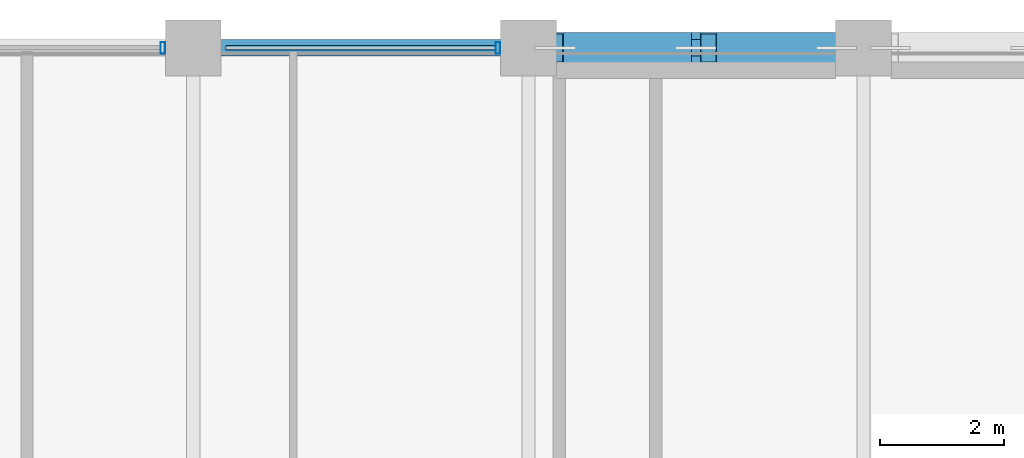
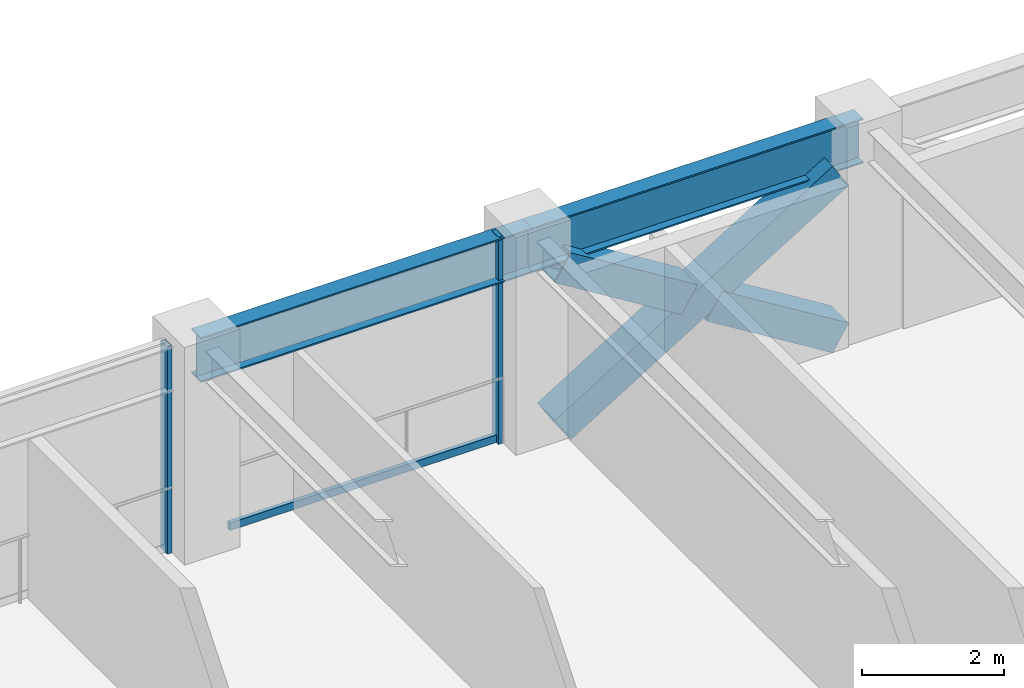
# One storey, part 19 of 36: 6 members, 2 beams, 1 element without a shape of its own.
"""IFC4 building model written with IfcOpenShell, lengths in metres."""

from ifc_helpers import new_model, si_unit, direction, frame, origin, origin_2d, place, context, subcontext, project, spatial, hollow_rectangle, i_section, extrude, material, layer, layer_set, material_profile, profile_set, type_object, element, aggregate, save


model = new_model("IFC4")

# Units and contexts
model_context = context("Model", 3, precision=1e-05, world=origin(), true_north=direction((0.0, 1.0)))
body_context = subcontext(model_context, "Body", "Model", "MODEL_VIEW")
ifc_project = project(units=[si_unit("LENGTHUNIT", "METRE"), si_unit("AREAUNIT", "SQUARE_METRE"), si_unit("VOLUMEUNIT", "CUBIC_METRE"), si_unit("PLANEANGLEUNIT", "RADIAN"), si_unit("MASSUNIT", "GRAM", prefix="KILO")], contexts=[model_context])

# Site, building, storey
site_placement = place(None, origin())
site = spatial("IfcSite", under=ifc_project, at=site_placement, CompositionType="ELEMENT")
building_placement = place(site_placement, origin())
building = spatial("IfcBuilding", under=site, at=building_placement, Name="Surkhivell Harbour Commons", CompositionType="ELEMENT")
storey_placement = place(building_placement, frame((0.0, 0.0, 171.0)))
storey = spatial("IfcBuildingStorey", under=building, at=storey_placement, Name="L44", CompositionType="ELEMENT", Elevation=171.0)

# Beams
ifc_material_1 = material(Name="Steel S355", Category="steel")
ifc_material_profile_1 = material_profile(ifc_material_1, i_section(OverallWidth=0.26806640625, OverallDepth=0.77001953125, WebThickness=0.015625, FlangeThickness=0.025390625, at=origin_2d()), Name="UB762x267x197")
ifc_profile_set_1 = profile_set([ifc_material_profile_1], Name="Steel S355")
beam_type = type_object("IfcBeamType", Name="BM-SPN-762", PredefinedType="SPANDREL", material=ifc_profile_set_1)
beam_1_placement = place(storey_placement, frame((-10.800048828125, 25.89990234375, 3.18505859375), z_axis=(1.0, 0.0, 0.0), x_axis=(0.0, 1.0, 0.0)))
element("IfcBeam", 1, at=beam_1_placement, inside=storey, type_object=beam_type, Name="L44 Tube Spandrel (-10.8,25.9)", PredefinedType="SPANDREL", context=body_context, shape_type="SweptSolid", body=[
    extrude(i_section(OverallWidth=0.26806640625, OverallDepth=0.77001953125, WebThickness=0.015625, FlangeThickness=0.025390625, at=origin_2d()), origin(), (0.0, 0.0, 1.0), 5.400146484375),
])
beam_2_placement = place(storey_placement, frame((-5.39990234375, 25.89990234375, 3.18505859375), z_axis=(1.0, 0.0, 0.0), x_axis=(0.0, 1.0, 0.0)))
element("IfcBeam", 2, at=beam_2_placement, inside=storey, type_object=beam_type, Name="L44 Tube Spandrel (-5.4,25.9)", PredefinedType="SPANDREL", context=body_context, shape_type="SweptSolid", body=[
    extrude(i_section(OverallWidth=0.26806640625, OverallDepth=0.77001953125, WebThickness=0.015625, FlangeThickness=0.025390625, at=origin_2d()), origin(), (0.0, 0.0, 1.0), 5.39990234375),
])

# Curtain wall, members
ifc_material_2 = material(Name="Anodised pale-metal aluminium and insulated glazing", Category="aluminium")
ifc_layer = layer(ifc_material_2, 0.18994140625)
ifc_layer_set = layer_set([ifc_layer], Name="Anodised pale-metal aluminium and insulated glazing")
curtain_wall_type = type_object("IfcCurtainWallType", Name="CW-SYS-Z3", PredefinedType="NOTDEFINED", material=ifc_layer_set)
curtain_wall_placement = place(storey_placement, origin())
curtain_wall = element("IfcCurtainWall", 3, at=curtain_wall_placement, inside=storey, type_object=curtain_wall_type, Name="L44 Curtain Wall CW-L44-E07S2", PredefinedType="NOTDEFINED")
ifc_material_3 = material(Name="Anodised pale-metal aluminium alloy 6063-T6", Category="aluminium")
ifc_material_profile_2 = material_profile(ifc_material_3, hollow_rectangle(XDim=0.074951171875, YDim=0.18994140625, WallThickness=0.00390625, at=origin_2d()), Name="ALU-MULL-75x190")
ifc_profile_set_2 = profile_set([ifc_material_profile_2], Name="Anodised pale-metal aluminium alloy 6063-T6")
member_type_1 = type_object("IfcMemberType", Name="CWM-190", PredefinedType="MULLION", material=ifc_profile_set_2)
member_1_placement = place(storey_placement, frame((-5.889404296875, 25.89990234375, 0.0), z_axis=(0.0, 0.0, 1.0), x_axis=(-1.0, 0.0, 0.0)))
member_1 = element("IfcMember", 4, at=member_1_placement, type_object=member_type_1, Name="CW-Z3 mullion 1", PredefinedType="MULLION", context=body_context, shape_type="SweptSolid", body=[
    extrude(hollow_rectangle(XDim=0.074951171875, YDim=0.18994140625, WallThickness=0.00390625, at=origin_2d()), origin(), (0.0, 0.0, 1.0), 3.570068359375),
])
member_2_placement = place(storey_placement, frame((-11.28955078125, 25.89990234375, 0.0), z_axis=(0.0, 0.0, 1.0), x_axis=(-1.0, 0.0, 0.0)))
member_2 = element("IfcMember", 5, at=member_2_placement, type_object=member_type_1, Name="CW-Z3 mullion 2", PredefinedType="MULLION", context=body_context, shape_type="SweptSolid", body=[
    extrude(hollow_rectangle(XDim=0.074951171875, YDim=0.18994140625, WallThickness=0.00390625, at=origin_2d()), origin(), (0.0, 0.0, 1.0), 3.570068359375),
])
ifc_material_4 = material(Name="Champagne anodised aluminium alloy 6063-T6", Category="aluminium")
ifc_material_profile_3 = material_profile(ifc_material_4, hollow_rectangle(XDim=0.070068359375, YDim=0.1298828125, WallThickness=0.00341796875, at=origin_2d()), Name="ALU-TRAN-70x130")
ifc_profile_set_3 = profile_set([ifc_material_profile_3], Name="Champagne anodised aluminium alloy 6063-T6")
member_type_2 = type_object("IfcMemberType", Name="CWT-130", PredefinedType="USERDEFINED", material=ifc_profile_set_3)
member_3_placement = place(storey_placement, frame((-5.927001953125, 25.89990234375, 0.06494140625), z_axis=(-1.0, 0.0, 0.0), x_axis=(0.0, -1.0, 0.0)))
member_3 = element("IfcMember", 6, at=member_3_placement, type_object=member_type_2, Name="CW-Z3 transom 1.1", ObjectType="TRANSOM", PredefinedType="USERDEFINED", context=body_context, shape_type="SweptSolid", body=[
    extrude(hollow_rectangle(XDim=0.070068359375, YDim=0.1298828125, WallThickness=0.00341796875, at=origin_2d()), origin(), (0.0, 0.0, 1.0), 4.345947265625),
])
aggregate(curtain_wall, [member_1, member_3, member_2])

# Members
ifc_material_5 = material(Name="Steel S460", Category="steel")
ifc_material_profile_4 = material_profile(ifc_material_5, hollow_rectangle(XDim=0.5, YDim=0.5, WallThickness=0.02490234375, at=origin_2d()), Name="SHS500x500x25")
ifc_profile_set_4 = profile_set([ifc_material_profile_4], Name="Steel S460")
member_type_3 = type_object("IfcMemberType", Name="MEM-BRC-SHS500", PredefinedType="BRACE", material=ifc_profile_set_4)
member_4_placement = place(storey_placement, frame((-4.965087890625, 25.89990234375, 0.008056640625), z_axis=(0.850971032488, 0.0, 0.525212625387), x_axis=(0.0, 1.0, 0.0)))
element("IfcMember", 7, at=member_4_placement, inside=storey, type_object=member_type_3, Name="L44 Perimeter Mega-Brace MB- 01", PredefinedType="BRACE", context=body_context, shape_type="SweptSolid", body=[
    extrude(hollow_rectangle(XDim=0.5, YDim=0.5, WallThickness=0.02490234375, at=origin_2d()), origin(), (0.0, 0.0, 1.0), 5.323486328125),
])
for number, where, z_axis, x_axis, name in (
    (8, (-0.43505859375, 25.89990234375, 0.008056640625), (-0.8510034189, 0.0, 0.525160147974), (0.0, -1.0, 0.0), "L44 Perimeter Mega-Brace MB- 02"),
    (9, (-2.904296875, 25.89990234375, 1.531982421875), (-0.850958361341, 0.0, 0.525233155146), (0.0, -1.0, 0.0), "L44 Perimeter Mega-Brace MB- 03"),
):
    element("IfcMember", number, at=place(storey_placement, frame(where, z_axis=z_axis, x_axis=x_axis)), inside=storey, type_object=member_type_3, Name=name, PredefinedType="BRACE", context=body_context, shape_type="SweptSolid", body=[
        extrude(hollow_rectangle(XDim=0.5, YDim=0.5, WallThickness=0.02490234375, at=origin_2d()), origin(), (0.0, 0.0, 1.0), 2.421630859375),
    ])

save(model, "model.ifc")
